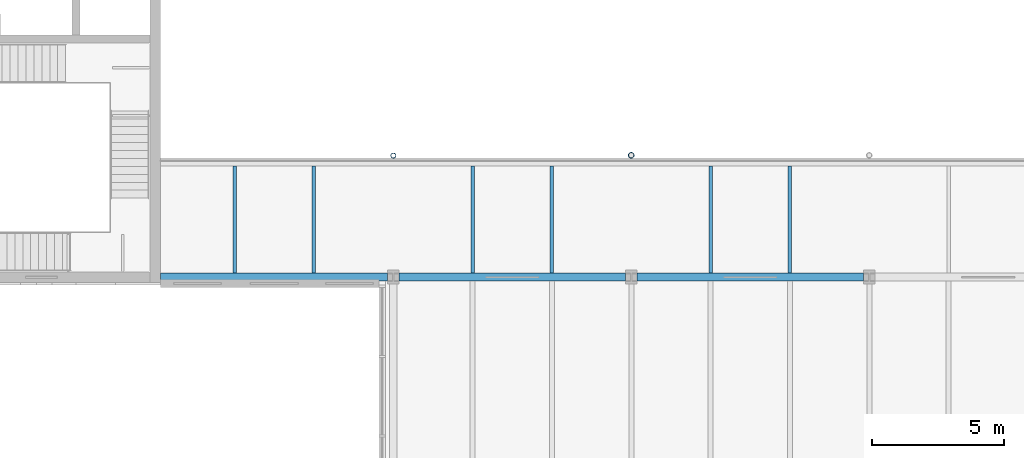
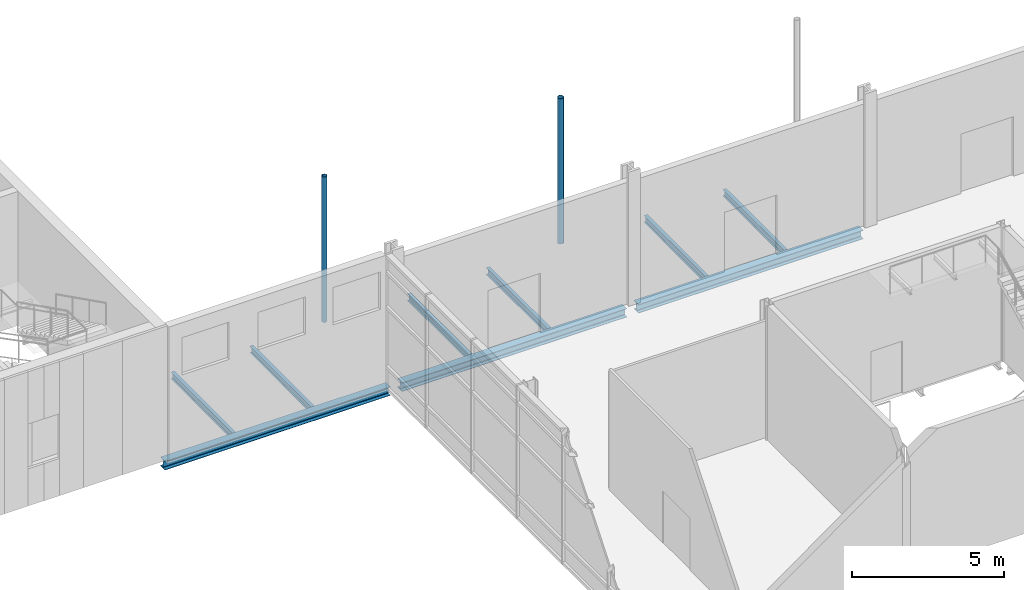
# One storey, part 20 of 56: 9 beams, 2 members.
"""IFC4 building model written with IfcOpenShell, lengths in metres."""

from ifc_helpers import new_model, si_unit, direction, frame, origin, origin_2d, place, context, subcontext, project, spatial, hollow_circle, i_section, extrude, material, material_profile, profile_set, type_object, element, save


model = new_model("IFC4")

# Units and contexts
model_context = context("Model", 3, precision=1e-05, world=origin(), true_north=direction((0.0, 1.0)))
body_context = subcontext(model_context, "Body", "Model", "MODEL_VIEW")
ifc_project = project(units=[si_unit("LENGTHUNIT", "METRE"), si_unit("AREAUNIT", "SQUARE_METRE"), si_unit("VOLUMEUNIT", "CUBIC_METRE"), si_unit("PLANEANGLEUNIT", "RADIAN"), si_unit("MASSUNIT", "GRAM", prefix="KILO")], contexts=[model_context])

# Site, building, storey
site_placement = place(None, origin())
site = spatial("IfcSite", under=ifc_project, at=site_placement, CompositionType="ELEMENT")
building_placement = place(site_placement, origin())
building = spatial("IfcBuilding", under=site, at=building_placement, Name="Azimuth Sports and Learning Centre", CompositionType="ELEMENT")
storey_placement = place(building_placement, frame((0.0, 0.0, 5.39990234375)))
storey = spatial("IfcBuildingStorey", under=building, at=storey_placement, Name="L01", CompositionType="ELEMENT", Elevation=5.39990234375)

# Beams
ifc_material_1 = material(Name="Steel S355", Category="steel")
ifc_material_profile_1 = material_profile(ifc_material_1, i_section(OverallWidth=0.300048828125, OverallDepth=0.35009765625, WebThickness=0.010009765625, FlangeThickness=0.017578125, FilletRadius=0.027099609375, at=origin_2d()), Name="HEA 360")
ifc_profile_set_1 = profile_set([ifc_material_profile_1], Name="Steel S355")
beam_type_1 = type_object("IfcBeamType", Name="Edge beam HEA 360", PredefinedType="SPANDREL", material=ifc_profile_set_1)
for number, where, z_axis, x_axis, name in (
    (1, (72.220947265625, 90.0, -0.324951171875), (1.0, 0.0, 0.0), (0.0, 1.0, 0.0), "Edge beam L01 ST 17"),
    (2, (81.220947265625, 90.0, -0.324951171875), (1.0, 0.0, 0.0), (0.0, 1.0, 0.0), "Edge beam L01 ST 18"),
):
    element("IfcBeam", number, at=place(storey_placement, frame(where, z_axis=z_axis, x_axis=x_axis)), inside=storey, type_object=beam_type_1, Name=name, PredefinedType="SPANDREL", context=body_context, shape_type="SweptSolid", body=[
        extrude(i_section(OverallWidth=0.300048828125, OverallDepth=0.35009765625, WebThickness=0.010009765625, FlangeThickness=0.017578125, FilletRadius=0.027099609375, at=origin_2d()), origin(), (0.0, 0.0, 1.0), 8.55810546875),
    ])
beam_placement = place(storey_placement, frame((63.199951171875, 90.0, -0.324951171875), z_axis=(1.0, 0.0, 0.0), x_axis=(0.0, 1.0, 0.0)))
element("IfcBeam", 3, at=beam_placement, inside=storey, type_object=beam_type_1, Name="Edge beam L01 HG 1", PredefinedType="SPANDREL", context=body_context, shape_type="SweptSolid", body=[
    extrude(i_section(OverallWidth=0.300048828125, OverallDepth=0.35009765625, WebThickness=0.010009765625, FlangeThickness=0.017578125, FilletRadius=0.027099609375, at=origin_2d()), origin(), (0.0, 0.0, 1.0), 8.5791015625),
])
ifc_material_2 = material(Name="Steel S355", Category="steel")
ifc_material_profile_2 = material_profile(ifc_material_2, i_section(OverallWidth=0.135009765625, OverallDepth=0.27001953125, WebThickness=0.006591796875, FlangeThickness=0.01025390625, FilletRadius=0.014892578125, at=origin_2d()), Name="IPE 270")
ifc_profile_set_2 = profile_set([ifc_material_profile_2], Name="Steel S355")
beam_type_2 = type_object("IfcBeamType", Name="Joist IPE 270", PredefinedType="JOIST", material=ifc_profile_set_2)
for number, where, z_axis, x_axis, name in (
    (4, (66.0, 90.14990234375, -0.284912109375), (0.0, 1.0, 0.0), (-1.0, 0.0, 0.0), "Joist L01 HG 4"),
    (5, (69.0, 90.14990234375, -0.284912109375), (0.0, 1.0, 0.0), (-1.0, 0.0, 0.0), "Joist L01 HG 5"),
    (6, (75.0, 90.14990234375, -0.284912109375), (0.0, 1.0, 0.0), (-1.0, 0.0, 0.0), "Joist L01 HG 6"),
    (7, (78.0, 90.14990234375, -0.284912109375), (0.0, 1.0, 0.0), (-1.0, 0.0, 0.0), "Joist L01 HG 7"),
    (8, (84.0, 90.14990234375, -0.284912109375), (0.0, 1.0, 0.0), (-1.0, 0.0, 0.0), "Joist L01 HG 8"),
    (9, (87.0, 90.14990234375, -0.284912109375), (0.0, 1.0, 0.0), (-1.0, 0.0, 0.0), "Joist L01 HG 9"),
):
    element("IfcBeam", number, at=place(storey_placement, frame(where, z_axis=z_axis, x_axis=x_axis)), inside=storey, type_object=beam_type_2, Name=name, PredefinedType="JOIST", context=body_context, shape_type="SweptSolid", body=[
        extrude(i_section(OverallWidth=0.135009765625, OverallDepth=0.27001953125, WebThickness=0.006591796875, FlangeThickness=0.01025390625, FilletRadius=0.014892578125, at=origin_2d()), origin(), (0.0, 0.0, 1.0), 4.050048828125),
    ])

# Members
ifc_material_3 = material(Name="Steel S355", Category="steel")
ifc_material_profile_3 = material_profile(ifc_material_3, hollow_circle(Radius=0.096923828125, WallThickness=0.010009765625, at=origin_2d()), Name="CHS 193.7x10.0")
ifc_profile_set_3 = profile_set([ifc_material_profile_3], Name="Steel S355")
member_type_1 = type_object("IfcMemberType", Name="Truss post CHS 193.7x10.0", PredefinedType="POST", material=ifc_profile_set_3)
member_1_placement = place(storey_placement, frame((72.0, 94.596923828125, -0.449951171875), z_axis=(0.0, 0.0, 1.0), x_axis=(1.0, 0.0, 0.0)))
element("IfcMember", 10, at=member_1_placement, inside=storey, type_object=member_type_1, Name="Gallery hanger FT-1", PredefinedType="POST", context=body_context, shape_type="SweptSolid", body=[
    extrude(hollow_circle(Radius=0.096923828125, WallThickness=0.010009765625, at=origin_2d()), origin(), (0.0, 0.0, 1.0), 5.85009765625),
])
ifc_material_4 = material(Name="Steel S355", Category="steel")
ifc_material_profile_4 = material_profile(ifc_material_4, hollow_circle(Radius=0.109619140625, WallThickness=0.010009765625, at=origin_2d()), Name="CHS 219.1x10.0")
ifc_profile_set_4 = profile_set([ifc_material_profile_4], Name="Steel S355")
member_type_2 = type_object("IfcMemberType", Name="Truss post CHS 219.1x10.0", PredefinedType="POST", material=ifc_profile_set_4)
member_2_placement = place(storey_placement, frame((81.0, 94.609619140625, -0.449951171875), z_axis=(0.0, 0.0, 1.0), x_axis=(1.0, 0.0, 0.0)))
element("IfcMember", 11, at=member_2_placement, inside=storey, type_object=member_type_2, Name="Gallery hanger FT-2", PredefinedType="POST", context=body_context, shape_type="SweptSolid", body=[
    extrude(hollow_circle(Radius=0.109619140625, WallThickness=0.010009765625, at=origin_2d()), origin(), (0.0, 0.0, 1.0), 5.85009765625),
])

save(model, "model.ifc")
